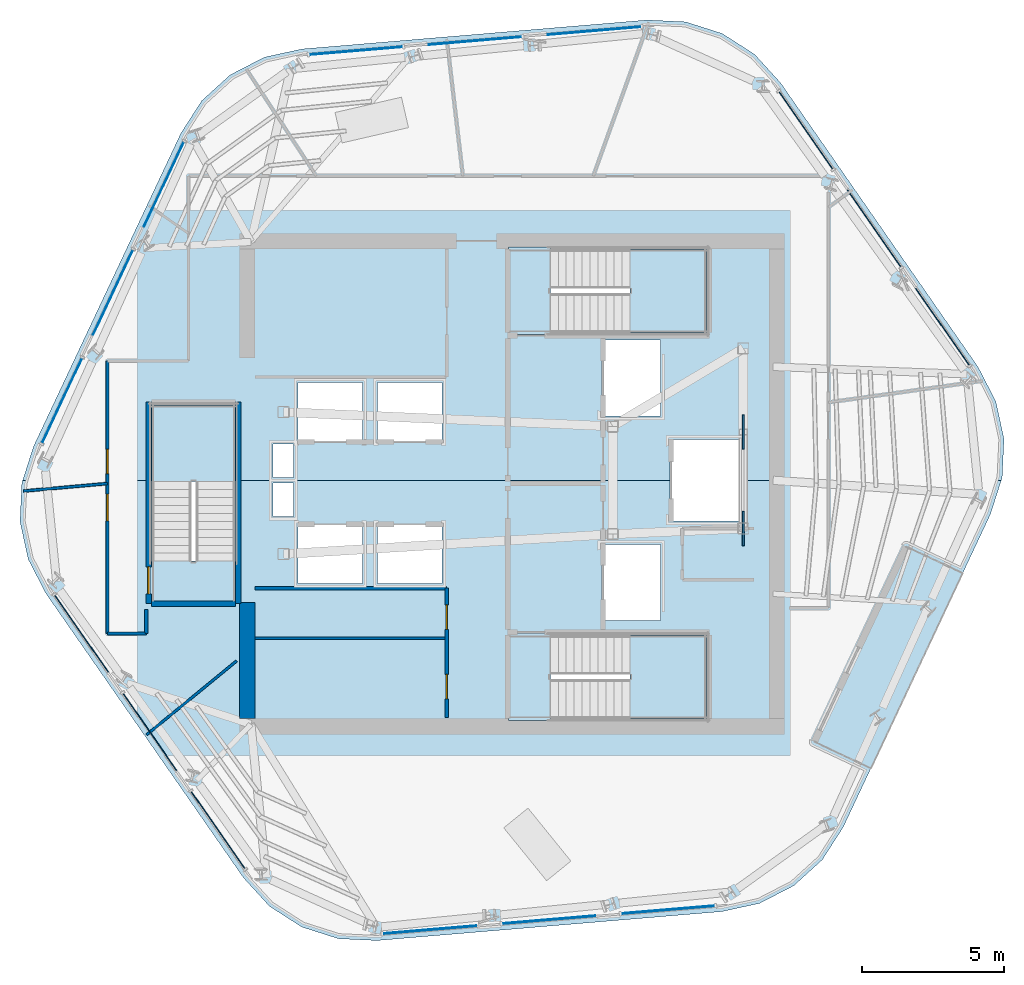
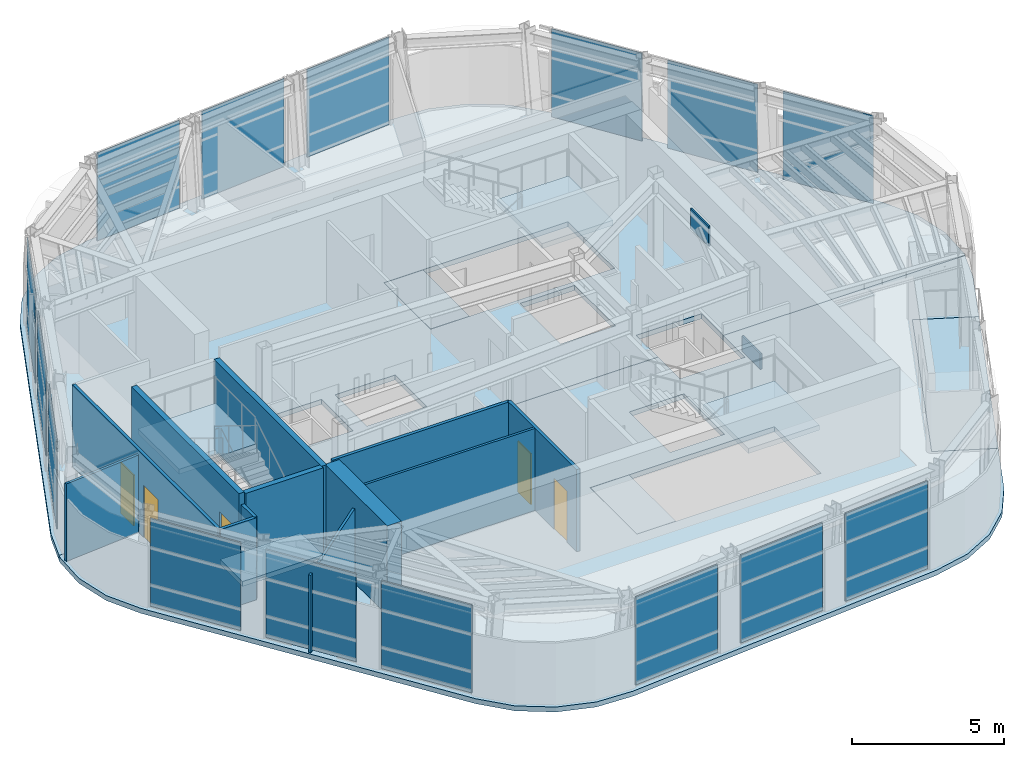
# One storey, part 5 of 14: 17 plates, 12 walls, 9 slabs, 5 doors, 5 openings, 8 elements without a shape of their own.
"""IFC4 building model written with IfcOpenShell, lengths in metres."""

from ifc_helpers import new_model, si_unit, direction, frame, frame_2d, origin, origin_2d, place, context, subcontext, project, spatial, polyline, rectangle, outline, extrude, material, layer, layer_set, type_object, element, fill, aggregate, save


model = new_model("IFC4")

# Units and contexts
model_context = context("Model", 3, precision=1e-05, world=origin(), true_north=direction((0.0, 1.0)))
body_context = subcontext(model_context, "Body", "Model", "MODEL_VIEW")
ifc_project = project(units=[si_unit("LENGTHUNIT", "METRE"), si_unit("AREAUNIT", "SQUARE_METRE"), si_unit("VOLUMEUNIT", "CUBIC_METRE"), si_unit("PLANEANGLEUNIT", "RADIAN"), si_unit("MASSUNIT", "GRAM", prefix="KILO")], contexts=[model_context])

# Site, building, storey
site_placement = place(None, origin())
site = spatial("IfcSite", under=ifc_project, at=site_placement, CompositionType="ELEMENT")
building_placement = place(site_placement, origin())
building = spatial("IfcBuilding", under=site, at=building_placement, Name="Valkerne Bourse Tower", CompositionType="ELEMENT")
storey_placement = place(building_placement, frame((0.0, 0.0, 304.0)))
storey = spatial("IfcBuildingStorey", under=building, at=storey_placement, Name="L77", CompositionType="ELEMENT", Elevation=304.0)

# Curtain wall, plates
ifc_material_1 = material(Name="Aluminium AA 6063-T6", Category="aluminium")
ifc_layer_1 = layer(ifc_material_1, 0.2451171875)
ifc_layer_set_1 = layer_set([ifc_layer_1], Name="Aluminium AA 6063-T6")
curtain_wall_type = type_object("IfcCurtainWallType", Name="CW-05", PredefinedType="NOTDEFINED", material=ifc_layer_set_1)
curtain_wall_1_placement = place(storey_placement, origin())
curtain_wall_1 = element("IfcCurtainWall", 1, at=curtain_wall_1_placement, inside=storey, type_object=curtain_wall_type, Name="L77 Hexagonal Stick Curtain Wall Face 1", PredefinedType="NOTDEFINED")
ifc_material_2 = material(Name="Glass IGU Low-E Double Glazed", Category="glass")
ifc_layer_2 = layer(ifc_material_2, 0.031982421875)
ifc_layer_set_2 = layer_set([ifc_layer_2], Name="Glass IGU Low-E Double Glazed")
plate_type_1 = type_object("IfcPlateType", Name="CW-PNL-IGU-32", PredefinedType="CURTAIN_PANEL", material=ifc_layer_set_2)
plate_1_placement = place(storey_placement, frame((49.697021484375, 42.836669921875, 0.030029296875), z_axis=(0.0, 0.0, 1.0), x_axis=(-0.996493823918, -0.083666354605, 0.0)))
plate_1 = element("IfcPlate", 2, at=plate_1_placement, type_object=plate_type_1, Name="CW-L77-F1 Curtain Panel 00", PredefinedType="CURTAIN_PANEL", context=body_context, shape_type="SweptSolid", body=[
    extrude(rectangle(XDim=3.2919921875, YDim=0.031982421875, at=origin_2d()), origin(), (0.0, 0.0, 1.0), 3.5400390625),
])
plate_2_placement = place(storey_placement, frame((45.499755859375, 42.484375, 0.030029296875), z_axis=(0.0, 0.0, 1.0), x_axis=(-0.996491844212, -0.083689930214, 0.0)))
plate_2 = element("IfcPlate", 3, at=plate_2_placement, type_object=plate_type_1, Name="CW-L77-F1 Curtain Panel 01", PredefinedType="CURTAIN_PANEL", context=body_context, shape_type="SweptSolid", body=[
    extrude(rectangle(XDim=3.2919921875, YDim=0.031982421875, at=origin_2d()), origin(), (0.0, 0.0, 1.0), 3.5400390625),
])
plate_3_placement = place(storey_placement, frame((41.302490234375, 42.1318359375, 0.030029296875), z_axis=(0.0, 0.0, 1.0), x_axis=(-0.996493823918, -0.083666354605, 0.0)))
plate_3 = element("IfcPlate", 4, at=plate_3_placement, type_object=plate_type_1, Name="CW-L77-F1 Curtain Panel 02", PredefinedType="CURTAIN_PANEL", context=body_context, shape_type="SweptSolid", body=[
    extrude(rectangle(XDim=3.2919921875, YDim=0.031982421875, at=origin_2d()), origin(), (0.0, 0.0, 1.0), 3.5400390625),
])
aggregate(curtain_wall_1, [plate_1, plate_2, plate_3])

curtain_wall_2_placement = place(storey_placement, origin())
curtain_wall_2 = element("IfcCurtainWall", 5, at=curtain_wall_2_placement, inside=storey, type_object=curtain_wall_type, Name="L77 Hexagonal Stick Curtain Wall Face 2", PredefinedType="NOTDEFINED")
plate_4_placement = place(storey_placement, frame((34.533447265625, 37.42724609375, 0.030029296875), z_axis=(0.0, 0.0, 1.0), x_axis=(-0.425766164687, -0.90483322939, 0.0)))
plate_4 = element("IfcPlate", 6, at=plate_4_placement, type_object=plate_type_1, Name="CW-L77-F2 Curtain Panel 00", PredefinedType="CURTAIN_PANEL", context=body_context, shape_type="SweptSolid", body=[
    extrude(rectangle(XDim=3.2919921875, YDim=0.031982421875, at=origin_2d()), origin(), (0.0, 0.0, 1.0), 3.5400390625),
])
plate_5_placement = place(storey_placement, frame((32.739990234375, 33.6162109375, 0.030029296875), z_axis=(0.0, 0.0, 1.0), x_axis=(-0.425776455945, -0.904828386802, 0.0)))
plate_5 = element("IfcPlate", 7, at=plate_5_placement, type_object=plate_type_1, Name="CW-L77-F2 Curtain Panel 01", PredefinedType="CURTAIN_PANEL", context=body_context, shape_type="SweptSolid", body=[
    extrude(rectangle(XDim=3.2919921875, YDim=0.031982421875, at=origin_2d()), origin(), (0.0, 0.0, 1.0), 3.5400390625),
])
plate_6_placement = place(storey_placement, frame((30.94677734375, 29.804931640625, 0.030029296875), z_axis=(0.0, 0.0, 1.0), x_axis=(-0.425785602565, -0.904824082708, 0.0)))
plate_6 = element("IfcPlate", 8, at=plate_6_placement, type_object=plate_type_1, Name="CW-L77-F2 Curtain Panel 02", PredefinedType="CURTAIN_PANEL", context=body_context, shape_type="SweptSolid", body=[
    extrude(rectangle(XDim=3.2919921875, YDim=0.031982421875, at=origin_2d()), origin(), (0.0, 0.0, 1.0), 3.5400390625),
])
aggregate(curtain_wall_2, [plate_4, plate_5, plate_6])

curtain_wall_3_placement = place(storey_placement, origin())
curtain_wall_3 = element("IfcCurtainWall", 9, at=curtain_wall_3_placement, inside=storey, type_object=curtain_wall_type, Name="L77 Hexagonal Stick Curtain Wall Face 3", PredefinedType="NOTDEFINED")
plate_7_placement = place(storey_placement, frame((31.636474609375, 21.590576171875, 0.030029296875), z_axis=(0.0, 0.0, 1.0), x_axis=(0.57070410304, -0.821155787152, 0.0)))
plate_7 = element("IfcPlate", 10, at=plate_7_placement, type_object=plate_type_1, Name="CW-L77-F3 Curtain Panel 00", PredefinedType="CURTAIN_PANEL", context=body_context, shape_type="SweptSolid", body=[
    extrude(rectangle(XDim=3.2919921875, YDim=0.031982421875, at=origin_2d()), origin(), (0.0, 0.0, 1.0), 3.5400390625),
])
plate_8_placement = place(storey_placement, frame((34.040283203125, 18.1318359375, 0.030029296875), z_axis=(0.0, 0.0, 1.0), x_axis=(0.57072011169, -0.821144660893, 0.0)))
plate_8 = element("IfcPlate", 11, at=plate_8_placement, type_object=plate_type_1, Name="CW-L77-F3 Curtain Panel 01", PredefinedType="CURTAIN_PANEL", context=body_context, shape_type="SweptSolid", body=[
    extrude(rectangle(XDim=3.2919921875, YDim=0.031982421875, at=origin_2d()), origin(), (0.0, 0.0, 1.0), 3.5400390625),
])
plate_9_placement = place(storey_placement, frame((36.444091796875, 14.673095703125, 0.030029296875), z_axis=(0.0, 0.0, 1.0), x_axis=(0.57070410304, -0.821155787152, 0.0)))
plate_9 = element("IfcPlate", 12, at=plate_9_placement, type_object=plate_type_1, Name="CW-L77-F3 Curtain Panel 02", PredefinedType="CURTAIN_PANEL", context=body_context, shape_type="SweptSolid", body=[
    extrude(rectangle(XDim=3.2919921875, YDim=0.031982421875, at=origin_2d()), origin(), (0.0, 0.0, 1.0), 3.5400390625),
])
aggregate(curtain_wall_3, [plate_7, plate_8, plate_9])

curtain_wall_4_placement = place(storey_placement, origin())
curtain_wall_4 = element("IfcCurtainWall", 13, at=curtain_wall_4_placement, inside=storey, type_object=curtain_wall_type, Name="L77 Hexagonal Stick Curtain Wall Face 4", PredefinedType="NOTDEFINED")
plate_10_placement = place(storey_placement, frame((43.903076171875, 11.163330078125, 0.030029296875), z_axis=(0.0, 0.0, 1.0), x_axis=(0.996493823918, 0.083666354605, 0.0)))
plate_10 = element("IfcPlate", 14, at=plate_10_placement, type_object=plate_type_1, Name="CW-L77-F4 Curtain Panel 00", PredefinedType="CURTAIN_PANEL", context=body_context, shape_type="SweptSolid", body=[
    extrude(rectangle(XDim=3.2919921875, YDim=0.031982421875, at=origin_2d()), origin(), (0.0, 0.0, 1.0), 3.5400390625),
])
plate_11_placement = place(storey_placement, frame((48.100341796875, 11.515625, 0.030029296875), z_axis=(0.0, 0.0, 1.0), x_axis=(0.996491844212, 0.083689930214, 0.0)))
plate_11 = element("IfcPlate", 15, at=plate_11_placement, type_object=plate_type_1, Name="CW-L77-F4 Curtain Panel 01", PredefinedType="CURTAIN_PANEL", context=body_context, shape_type="SweptSolid", body=[
    extrude(rectangle(XDim=3.2919921875, YDim=0.031982421875, at=origin_2d()), origin(), (0.0, 0.0, 1.0), 3.5400390625),
])
plate_12_placement = place(storey_placement, frame((52.29736328125, 11.8681640625, 0.030029296875), z_axis=(0.0, 0.0, 1.0), x_axis=(0.996493823918, 0.083666354605, 0.0)))
plate_12 = element("IfcPlate", 16, at=plate_12_placement, type_object=plate_type_1, Name="CW-L77-F4 Curtain Panel 02", PredefinedType="CURTAIN_PANEL", context=body_context, shape_type="SweptSolid", body=[
    extrude(rectangle(XDim=3.2919921875, YDim=0.031982421875, at=origin_2d()), origin(), (0.0, 0.0, 1.0), 3.5400390625),
])
aggregate(curtain_wall_4, [plate_10, plate_11, plate_12])

curtain_wall_5_placement = place(storey_placement, origin())
curtain_wall_5 = element("IfcCurtainWall", 17, at=curtain_wall_5_placement, inside=storey, type_object=curtain_wall_type, Name="L77 Hexagonal Stick Curtain Wall Face 6", PredefinedType="NOTDEFINED")
plate_13_placement = place(storey_placement, frame((61.96337890625, 32.409423828125, 0.030029296875), z_axis=(0.0, 0.0, 1.0), x_axis=(-0.57070410304, 0.821155787152, 0.0)))
plate_13 = element("IfcPlate", 18, at=plate_13_placement, type_object=plate_type_1, Name="CW-L77-F6 Curtain Panel 00", PredefinedType="CURTAIN_PANEL", context=body_context, shape_type="SweptSolid", body=[
    extrude(rectangle(XDim=3.2919921875, YDim=0.031982421875, at=origin_2d()), origin(), (0.0, 0.0, 1.0), 3.5400390625),
])
plate_14_placement = place(storey_placement, frame((59.559814453125, 35.8681640625, 0.030029296875), z_axis=(0.0, 0.0, 1.0), x_axis=(-0.57072011169, 0.821144660893, 0.0)))
plate_14 = element("IfcPlate", 19, at=plate_14_placement, type_object=plate_type_1, Name="CW-L77-F6 Curtain Panel 01", PredefinedType="CURTAIN_PANEL", context=body_context, shape_type="SweptSolid", body=[
    extrude(rectangle(XDim=3.2919921875, YDim=0.031982421875, at=origin_2d()), origin(), (0.0, 0.0, 1.0), 3.5400390625),
])
plate_15_placement = place(storey_placement, frame((57.15576171875, 39.326904296875, 0.030029296875), z_axis=(0.0, 0.0, 1.0), x_axis=(-0.57070410304, 0.821155787152, 0.0)))
plate_15 = element("IfcPlate", 20, at=plate_15_placement, type_object=plate_type_1, Name="CW-L77-F6 Curtain Panel 02", PredefinedType="CURTAIN_PANEL", context=body_context, shape_type="SweptSolid", body=[
    extrude(rectangle(XDim=3.2919921875, YDim=0.031982421875, at=origin_2d()), origin(), (0.0, 0.0, 1.0), 3.5400390625),
])
aggregate(curtain_wall_5, [plate_13, plate_14, plate_15])

# Plates
ifc_material_3 = material(Name="Steel ASTM A572 Grade 50", Category="steel")
ifc_layer_3 = layer(ifc_material_3, 0.06005859375)
ifc_layer_set_3 = layer_set([ifc_layer_3], Name="Steel ASTM A572 Grade 50")
plate_type_2 = type_object("IfcPlateType", Name="PLT-GUS-60", PredefinedType="SHEET", material=ifc_layer_set_3)
for number, where, z_axis, x_axis, name in (
    (21, (54.949951171875, 25.300048828125, -0.18017578125), (0.0, 0.0, 1.0), (0.0, 1.0, 0.0), "L77 Brace Node Gusset Plate PLT-GUS-END-L77-470"),
    (22, (54.949951171875, 28.699951171875, 2.89404296875), (0.0, 0.0, 1.0), (0.0, 1.0, 0.0), "L77 Brace Node Gusset Plate PLT-GUS-END-L77-471"),
):
    element("IfcPlate", number, at=place(storey_placement, frame(where, z_axis=z_axis, x_axis=x_axis)), inside=storey, type_object=plate_type_2, Name=name, PredefinedType="SHEET", context=body_context, shape_type="SweptSolid", body=[
        extrude(rectangle(XDim=1.199951171875, YDim=0.06005859375, at=origin_2d()), origin(), (0.0, 0.0, 1.0), 0.800048828125),
    ])

# Slabs
ifc_material_4 = material(Name="Concrete C40/50", Category="concrete")
ifc_layer_4 = layer(ifc_material_4, 0.25)
ifc_layer_set_4 = layer_set([ifc_layer_4], Name="Concrete C40/50")
slab_type_1 = type_object("IfcSlabType", Name="SLB-RMP-LND-250", PredefinedType="LANDING", material=ifc_layer_set_4)
slab_1_placement = place(storey_placement, frame((0.0, 0.0, -0.199951171875)))
element("IfcSlab", 23, at=slab_1_placement, inside=storey, type_object=slab_type_1, Name="L77 ST-1 Floor Landing Slab", PredefinedType="LANDING", context=body_context, shape_type="SweptSolid", body=[
    extrude(outline(polyline([(46.669921875, 18.5400390625), (48.14990234375, 18.5400390625), (48.14990234375, 21.610107421875), (46.669921875, 21.610107421875), (46.669921875, 18.5400390625)])), origin(), (0.0, 0.0, 1.0), 0.199951171875),
])
slab_2_placement = place(storey_placement, frame((0.0, 0.0, -0.199951171875)))
element("IfcSlab", 24, at=slab_2_placement, inside=storey, type_object=slab_type_1, Name="L77 ST-2 Floor Landing Slab", PredefinedType="LANDING", context=body_context, shape_type="SweptSolid", body=[
    extrude(outline(polyline([(46.669921875, 32.139892578125), (48.14990234375, 32.139892578125), (48.14990234375, 35.2099609375), (46.669921875, 35.2099609375), (46.669921875, 32.139892578125)])), origin(), (0.0, 0.0, 1.0), 0.199951171875),
])
slab_3_placement = place(storey_placement, frame((0.0, 0.0, -0.199951171875)))
element("IfcSlab", 25, at=slab_3_placement, inside=storey, type_object=slab_type_1, Name="L77 ST-3 Floor Landing Slab", PredefinedType="LANDING", context=body_context, shape_type="SweptSolid", body=[
    extrude(outline(polyline([(37.110107421875, 22.669921875), (37.110107421875, 24.14990234375), (34.0400390625, 24.14990234375), (34.0400390625, 22.669921875), (37.110107421875, 22.669921875)])), origin(), (0.0, 0.0, 1.0), 0.199951171875),
])

# Stair, slab
stair_type = type_object("IfcStairType", Name="ST-CORE-1400", PredefinedType="HALF_TURN_STAIR", material=ifc_material_4)
stair_1_placement = place(storey_placement, origin())
stair_1 = element("IfcStair", 26, at=stair_1_placement, inside=storey, type_object=stair_type, Name="L77 ST-1", PredefinedType="HALF_TURN_STAIR")
ifc_layer_5 = layer(ifc_material_4, 0.179931640625)
ifc_layer_set_5 = layer_set([ifc_layer_5], Name="Concrete C40/50")
slab_type_2 = type_object("IfcSlabType", Name="SLB-ST-LND-180", PredefinedType="LANDING", material=ifc_layer_set_5)
slab_4_placement = place(storey_placement, frame((0.0, 0.0, 1.699951171875)))
slab_4 = element("IfcSlab", 27, at=slab_4_placement, type_object=slab_type_2, Name="ST-1 landing 1", PredefinedType="LANDING", context=body_context, shape_type="SweptSolid", body=[
    extrude(outline(polyline([(50.949951171875, 18.60009765625), (53.64990234375, 18.60009765625), (53.64990234375, 21.550048828125), (50.949951171875, 21.550048828125), (50.949951171875, 18.60009765625)])), origin(), (0.0, 0.0, 1.0), 0.199951171875),
])
aggregate(stair_1, [slab_4])

stair_2_placement = place(storey_placement, origin())
stair_2 = element("IfcStair", 28, at=stair_2_placement, inside=storey, type_object=stair_type, Name="L77 ST-2", PredefinedType="HALF_TURN_STAIR")
slab_5_placement = place(storey_placement, frame((0.0, 0.0, 1.699951171875)))
slab_5 = element("IfcSlab", 29, at=slab_5_placement, type_object=slab_type_2, Name="ST-2 landing 1", PredefinedType="LANDING", context=body_context, shape_type="SweptSolid", body=[
    extrude(outline(polyline([(50.949951171875, 32.199951171875), (53.64990234375, 32.199951171875), (53.64990234375, 35.14990234375), (50.949951171875, 35.14990234375), (50.949951171875, 32.199951171875)])), origin(), (0.0, 0.0, 1.0), 0.199951171875),
])
aggregate(stair_2, [slab_5])

stair_3_placement = place(storey_placement, origin())
stair_3 = element("IfcStair", 30, at=stair_3_placement, inside=storey, type_object=stair_type, Name="L77 ST-3", PredefinedType="HALF_TURN_STAIR")
slab_6_placement = place(storey_placement, frame((0.0, 0.0, 1.699951171875)))
slab_6 = element("IfcSlab", 31, at=slab_6_placement, type_object=slab_type_2, Name="ST-3 landing 1", PredefinedType="LANDING", context=body_context, shape_type="SweptSolid", body=[
    extrude(outline(polyline([(37.050048828125, 26.949951171875), (37.050048828125, 29.64990234375), (34.10009765625, 29.64990234375), (34.10009765625, 26.949951171875), (37.050048828125, 26.949951171875)])), origin(), (0.0, 0.0, 1.0), 0.199951171875),
])
aggregate(stair_3, [slab_6])

# Slabs
ifc_layer_6 = layer(ifc_material_4, 0.199951171875)
ifc_layer_set_6 = layer_set([ifc_layer_6], Name="Concrete C40/50")
slab_type_3 = type_object("IfcSlabType", Name="SLB-TER-200", PredefinedType="FLOOR", material=ifc_layer_set_6)
slab_7_placement = place(storey_placement, frame((0.0, 0.0, -0.199951171875)))
element("IfcSlab", 32, at=slab_7_placement, inside=storey, type_object=slab_type_3, Name="L77 V-Notch Stepped Outdoor Terrace Slab", PredefinedType="FLOOR", context=body_context, shape_type="SweptSolid", body=[
    extrude(outline(polyline([(59.443603515625, 16.8505859375), (57.452880859375, 17.787353515625), (60.68896484375, 24.6640625), (62.6796875, 23.727294921875), (59.443603515625, 16.8505859375)])), origin(), (0.0, 0.0, 1.0), 0.199951171875),
])
ifc_layer_7 = layer(ifc_material_4, 0.199951171875)
ifc_layer_set_7 = layer_set([ifc_layer_7], Name="Concrete C40/50")
slab_type_4 = type_object("IfcSlabType", Name="SLB-TOW-200", PredefinedType="FLOOR", material=ifc_layer_set_7)
slab_8_placement = place(storey_placement, frame((0.0, 0.0, -0.199951171875)))
element("IfcSlab", 33, at=slab_8_placement, inside=storey, type_object=slab_type_4, Name="L77 Hexagonal Composite Floor Slab S", PredefinedType="FLOOR", context=body_context, shape_type="SweptSolid", body=[
    extrude(outline(polyline([(56.727783203125, 12.7158203125), (55.521484375, 12.093017578125), (54.1953125, 11.803955078125), (42.04248046875, 10.783447265625), (40.6865234375, 10.847412109375), (39.393310546875, 11.260009765625), (38.2509765625, 11.993408203125), (37.33740234375, 12.997314453125), (30.377197265625, 23.01171875), (29.754638671875, 24.218017578125), (29.465576171875, 25.54443359375), (29.529296875, 26.900390625), (29.561279296875, 27.0), (34.034912109375, 27.0), (34.034912109375, 22.6650390625), (37.114990234375, 22.6650390625), (37.114990234375, 27.0), (52.360107421875, 27.0), (52.360107421875, 25.56005859375), (54.840087890625, 25.56005859375), (54.840087890625, 27.0), (64.038818359375, 27.0), (63.657958984375, 25.806396484375), (62.6796875, 23.727294921875), (60.68896484375, 24.6640625), (57.452880859375, 17.787353515625), (59.443603515625, 16.8505859375), (58.46533203125, 14.771484375), (57.73193359375, 13.629150390625), (56.727783203125, 12.7158203125)]), holes=[polyline([(39.260009765625, 25.43994140625), (39.260009765625, 23.360107421875), (41.5400390625, 23.360107421875), (41.5400390625, 25.43994140625), (39.260009765625, 25.43994140625)]), polyline([(44.340087890625, 25.43994140625), (42.06005859375, 25.43994140625), (42.06005859375, 23.360107421875), (44.340087890625, 23.360107421875), (44.340087890625, 25.43994140625)]), polyline([(38.3798828125, 26.89990234375), (38.3798828125, 25.72998046875), (39.10009765625, 25.72998046875), (39.10009765625, 26.89990234375), (38.3798828125, 26.89990234375)]), polyline([(46.6650390625, 21.614990234375), (46.6650390625, 18.534912109375), (53.675048828125, 18.534912109375), (53.675048828125, 21.614990234375), (46.6650390625, 21.614990234375)]), polyline([(52.0400390625, 24.739990234375), (49.9599609375, 24.739990234375), (49.9599609375, 22.06005859375), (52.0400390625, 22.06005859375), (52.0400390625, 24.739990234375)])]), origin(), (0.0, 0.0, 1.0), 0.199951171875),
])
slab_9_placement = place(storey_placement, frame((0.0, 0.0, -0.199951171875)))
element("IfcSlab", 34, at=slab_9_placement, inside=storey, type_object=slab_type_4, Name="L77 Hexagonal Composite Floor Slab N", PredefinedType="FLOOR", context=body_context, shape_type="SweptSolid", body=[
    extrude(outline(polyline([(29.942138671875, 28.193603515625), (35.134765625, 39.228515625), (35.8681640625, 40.370849609375), (36.8720703125, 41.2841796875), (38.078369140625, 41.906982421875), (39.40478515625, 42.196044921875), (51.5576171875, 43.216552734375), (52.91357421875, 43.152587890625), (54.206787109375, 42.739990234375), (55.34912109375, 42.006591796875), (56.2626953125, 41.002685546875), (63.222900390625, 30.98828125), (63.845458984375, 29.781982421875), (64.134521484375, 28.45556640625), (64.070556640625, 27.099609375), (64.038818359375, 27.0), (54.840087890625, 27.0), (54.840087890625, 28.43994140625), (52.360107421875, 28.43994140625), (52.360107421875, 27.0), (37.114990234375, 27.0), (37.114990234375, 29.675048828125), (34.034912109375, 29.675048828125), (34.034912109375, 27.0), (29.561279296875, 27.0), (29.942138671875, 28.193603515625)]), holes=[polyline([(39.10009765625, 28.27001953125), (38.3798828125, 28.27001953125), (38.3798828125, 27.10009765625), (39.10009765625, 27.10009765625), (39.10009765625, 28.27001953125)]), polyline([(41.5400390625, 30.43994140625), (39.260009765625, 30.43994140625), (39.260009765625, 28.360107421875), (41.5400390625, 28.360107421875), (41.5400390625, 30.43994140625)]), polyline([(42.06005859375, 30.43994140625), (42.06005859375, 28.360107421875), (44.340087890625, 28.360107421875), (44.340087890625, 30.43994140625), (42.06005859375, 30.43994140625)]), polyline([(52.0400390625, 31.93994140625), (49.9599609375, 31.93994140625), (49.9599609375, 29.260009765625), (52.0400390625, 29.260009765625), (52.0400390625, 31.93994140625)]), polyline([(53.675048828125, 35.215087890625), (46.6650390625, 35.215087890625), (46.6650390625, 32.135009765625), (53.675048828125, 32.135009765625), (53.675048828125, 35.215087890625)])]), origin(), (0.0, 0.0, 1.0), 0.199951171875),
])

# Wall
ifc_material_5 = material(Name="Concrete C55/67", Category="concrete")
ifc_layer_8 = layer(ifc_material_5, 0.550048828125)
ifc_layer_set_8 = layer_set([ifc_layer_8], Name="Concrete C55/67")
wall_type_1 = type_object("IfcWallType", Name="W-CORE-550", PredefinedType="SHEAR", material=ifc_layer_set_8)
wall_1_placement = place(storey_placement, frame((37.47509765625, 18.60009765625, 0.0), z_axis=(0.0, 0.0, 1.0), x_axis=(0.0, 1.0, 0.0)))
element("IfcWall", 35, at=wall_1_placement, inside=storey, type_object=wall_type_1, Name="L77 Core Shear Wall WEST-S", PredefinedType="SHEAR", context=body_context, shape_type="SweptSolid", body=[
    extrude(rectangle(XDim=4.099853515625, YDim=0.550048828125, at=frame_2d((2.0498046875, 0.0))), origin(), (0.0, 0.0, 1.0), 3.60009765625),
])

# Wall, openings, doors
ifc_material_6 = material(Name="Gypsum Board Steel-Stud Partition", Category="steel")
ifc_layer_9 = layer(ifc_material_6, 0.117919921875)
ifc_layer_set_9 = layer_set([ifc_layer_9], Name="Gypsum Board Steel-Stud Partition")
wall_type_2 = type_object("IfcWallType", Name="W-CORR-140", PredefinedType="PARTITIONING", material=ifc_layer_set_9)
wall_2_placement = place(storey_placement, frame((44.5, 18.64990234375, 0.0), z_axis=(0.0, 0.0, 1.0), x_axis=(0.0, 1.0, 0.0)))
wall_2 = element("IfcWall", 36, at=wall_2_placement, inside=storey, type_object=wall_type_2, Name="L77 LV7 Low-Bank East Wall", PredefinedType="PARTITIONING", context=body_context, shape_type="SweptSolid", body=[
    extrude(rectangle(XDim=4.550048828125, YDim=0.117919921875, at=frame_2d((2.27490234375, 0.0))), origin(), (0.0, 0.0, 1.0), 3.300048828125),
])
opening_1_placement = place(wall_2_placement, frame((0.64990234375, 0.0, 0.0)))
opening_1 = element("IfcOpeningElement", 37, at=opening_1_placement, cuts=wall_2, Name="Opening D-WC-900", PredefinedType="OPENING", context=body_context, shape_type="SweptSolid", body=[
    extrude(rectangle(XDim=0.860107421875, YDim=2.050048828125, at=frame_2d((0.43017578125, 1.02490234375))), frame((0.0, 0.06884765625, 0.0), z_axis=(0.0, -1.0, 0.0), x_axis=(1.0, 0.0, 0.0)), (0.0, 0.0, 1.0), 0.137939453125),
])
opening_2_placement = place(wall_2_placement, frame((3.10009765625, 0.0, 0.0)))
opening_2 = element("IfcOpeningElement", 38, at=opening_2_placement, cuts=wall_2, Name="Opening D-WC-900", PredefinedType="OPENING", context=body_context, shape_type="SweptSolid", body=[
    extrude(rectangle(XDim=0.860107421875, YDim=2.050048828125, at=frame_2d((0.43017578125, 1.02490234375))), frame((0.0, 0.06884765625, 0.0), z_axis=(0.0, -1.0, 0.0), x_axis=(1.0, 0.0, 0.0)), (0.0, 0.0, 1.0), 0.137939453125),
])
ifc_material_7 = material(Name="Architectural White Oak Timber", Category="wood")
door_type_1 = type_object("IfcDoorType", Name="DR-WC-900", OperationType="NOTDEFINED", PredefinedType="DOOR", material=ifc_material_7)
door_1_placement = place(opening_1_placement, origin())
door_1 = element("IfcDoor", 39, at=door_1_placement, inside=storey, type_object=door_type_1, Name="L77 Reprographics Office Door", OperationType="SINGLE_SWING_RIGHT", OverallHeight=2.050048828125, OverallWidth=0.860107421875, PredefinedType="DOOR", context=body_context, shape_type="SweptSolid", body=[
    extrude(rectangle(XDim=0.860107421875, YDim=2.050048828125, at=frame_2d((0.43017578125, 1.02490234375))), frame((0.0, 0.02490234375, 0.0), z_axis=(0.0, -1.0, 0.0), x_axis=(1.0, 0.0, 0.0)), (0.0, 0.0, 1.0), 0.050048828125),
])
fill(opening_1, door_1)
door_2_placement = place(opening_2_placement, origin())
door_2 = element("IfcDoor", 40, at=door_2_placement, inside=storey, type_object=door_type_1, Name="L77 First Aid Clinic Door", OperationType="SINGLE_SWING_RIGHT", OverallHeight=2.050048828125, OverallWidth=0.860107421875, PredefinedType="DOOR", context=body_context, shape_type="SweptSolid", body=[
    extrude(rectangle(XDim=0.860107421875, YDim=2.050048828125, at=frame_2d((0.43017578125, 1.02490234375))), frame((0.0, 0.02490234375, 0.0), z_axis=(0.0, -1.0, 0.0), x_axis=(1.0, 0.0, 0.0)), (0.0, 0.0, 1.0), 0.050048828125),
])
fill(opening_2, door_2)

# Walls
wall_3_placement = place(storey_placement, frame((37.75, 23.199951171875, 0.0), z_axis=(0.0, 0.0, 1.0), x_axis=(1.0, 0.0, 0.0)))
element("IfcWall", 41, at=wall_3_placement, inside=storey, type_object=wall_type_2, Name="L77 LV7 Low-Bank North Wall", PredefinedType="PARTITIONING", context=body_context, shape_type="SweptSolid", body=[
    extrude(rectangle(XDim=6.75, YDim=0.117919921875, at=frame_2d((3.375, 0.0))), origin(), (0.0, 0.0, 1.0), 3.300048828125),
])
wall_4_placement = place(storey_placement, frame((33.91796875, 22.43994140625, 0.0), z_axis=(0.0, 0.0, 1.0), x_axis=(0.002325575107, -0.999997295847, 0.0)))
element("IfcWall", 42, at=wall_4_placement, inside=storey, type_object=wall_type_2, Name="L77 Corridor Enclosure Wall", PredefinedType="PARTITIONING", context=body_context, shape_type="SweptSolid", body=[
    extrude(rectangle(XDim=0.83984375, YDim=0.117919921875, at=frame_2d((0.419921875, 0.0))), origin(), (0.0, 0.0, 1.0), 3.300048828125),
])
wall_5_placement = place(storey_placement, frame((33.919921875, 21.60009765625, 0.0), z_axis=(0.0, 0.0, 1.0), x_axis=(-1.0, 0.0, 0.0)))
element("IfcWall", 43, at=wall_5_placement, inside=storey, type_object=wall_type_2, Name="L77 Corridor Enclosure Wall", PredefinedType="PARTITIONING", context=body_context, shape_type="SweptSolid", body=[
    extrude(rectangle(XDim=1.369873046875, YDim=0.117919921875, at=frame_2d((0.68505859375, 0.0))), origin(), (0.0, 0.0, 1.0), 3.300048828125),
])

# Wall, openings, doors
wall_6_placement = place(storey_placement, frame((32.550048828125, 21.60009765625, 0.0), z_axis=(0.0, 0.0, 1.0), x_axis=(0.0, 1.0, 0.0)))
wall_6 = element("IfcWall", 44, at=wall_6_placement, inside=storey, type_object=wall_type_2, Name="L77 Corridor Enclosure Wall", PredefinedType="PARTITIONING", context=body_context, shape_type="SweptSolid", body=[
    extrude(rectangle(XDim=9.599853515625, YDim=0.117919921875, at=frame_2d((4.7998046875, 0.0))), origin(), (0.0, 0.0, 1.0), 3.300048828125),
])
opening_3_placement = place(wall_6_placement, frame((5.6298828125, 0.0, 0.0)))
opening_3 = element("IfcOpeningElement", 45, at=opening_3_placement, cuts=wall_6, Name="Opening D-WC-900", PredefinedType="OPENING", context=body_context, shape_type="SweptSolid", body=[
    extrude(rectangle(XDim=0.860107421875, YDim=2.050048828125, at=frame_2d((0.43017578125, 1.02490234375))), frame((0.0, 0.06884765625, 0.0), z_axis=(0.0, -1.0, 0.0), x_axis=(1.0, 0.0, 0.0)), (0.0, 0.0, 1.0), 0.137939453125),
])
opening_4_placement = place(wall_6_placement, frame((3.965087890625, 0.0, 0.0)))
opening_4 = element("IfcOpeningElement", 46, at=opening_4_placement, cuts=wall_6, Name="Opening D-OF-950", PredefinedType="OPENING", context=body_context, shape_type="SweptSolid", body=[
    extrude(rectangle(XDim=0.949951171875, YDim=2.10009765625, at=frame_2d((0.47509765625, 1.050048828125))), frame((0.0, 0.06884765625, 0.0), z_axis=(0.0, -1.0, 0.0), x_axis=(1.0, 0.0, 0.0)), (0.0, 0.0, 1.0), 0.137939453125),
])
door_type_2 = type_object("IfcDoorType", Name="DR-OFF-950", OperationType="NOTDEFINED", PredefinedType="DOOR", material=ifc_material_7)
door_3_placement = place(opening_4_placement, origin())
door_3 = element("IfcDoor", 47, at=door_3_placement, inside=storey, type_object=door_type_2, Name="L77 L77 Executive Economics Study Room 3 Door", OperationType="SINGLE_SWING_RIGHT", OverallHeight=2.10009765625, OverallWidth=0.949951171875, PredefinedType="DOOR", context=body_context, shape_type="SweptSolid", body=[
    extrude(rectangle(XDim=0.949951171875, YDim=2.10009765625, at=frame_2d((0.47509765625, 1.050048828125))), frame((0.0, 0.02490234375, 0.0), z_axis=(0.0, -1.0, 0.0), x_axis=(1.0, 0.0, 0.0)), (0.0, 0.0, 1.0), 0.050048828125),
])
fill(opening_4, door_3)
door_4_placement = place(opening_3_placement, origin())
door_4 = element("IfcDoor", 48, at=door_4_placement, inside=storey, type_object=door_type_1, Name="L77 L77 Men Bathroom WC 1 Door", OperationType="SINGLE_SWING_RIGHT", OverallHeight=2.050048828125, OverallWidth=0.860107421875, PredefinedType="DOOR", context=body_context, shape_type="SweptSolid", body=[
    extrude(rectangle(XDim=0.860107421875, YDim=2.050048828125, at=frame_2d((0.43017578125, 1.02490234375))), frame((0.0, 0.02490234375, 0.0), z_axis=(0.0, -1.0, 0.0), x_axis=(1.0, 0.0, 0.0)), (0.0, 0.0, 1.0), 0.050048828125),
])
fill(opening_3, door_4)

# Walls
ifc_layer_10 = layer(ifc_material_6, 0.092041015625)
ifc_layer_set_10 = layer_set([ifc_layer_10], Name="Gypsum Board Steel-Stud Partition")
wall_type_3 = type_object("IfcWallType", Name="W-PART-115", PredefinedType="PARTITIONING", material=ifc_layer_set_10)
wall_7_placement = place(storey_placement, frame((37.75, 21.43994140625, 0.0), z_axis=(0.0, 0.0, 1.0), x_axis=(1.0, 0.0, 0.0)))
element("IfcWall", 49, at=wall_7_placement, inside=storey, type_object=wall_type_3, Name="L77 LV7 Low-Bank Sub-Divider", PredefinedType="PARTITIONING", context=body_context, shape_type="SweptSolid", body=[
    extrude(rectangle(XDim=6.75, YDim=0.092041015625, at=frame_2d((3.375, 0.0))), origin(), (0.0, 0.0, 1.0), 3.300048828125),
])
wall_8_placement = place(storey_placement, frame((32.544921875, 26.8837890625, 0.0), z_axis=(0.0, 0.0, 1.0), x_axis=(-0.99605990526, -0.088682947254, 0.0)))
element("IfcWall", 50, at=wall_8_placement, inside=storey, type_object=wall_type_3, Name="L77 Suite Partition P05", PredefinedType="PARTITIONING", context=body_context, shape_type="SweptSolid", body=[
    extrude(rectangle(XDim=2.970458984375, YDim=0.092041015625, at=frame_2d((1.4853515625, 0.0))), origin(), (0.0, 0.0, 1.0), 3.114990234375),
])
wall_9_placement = place(storey_placement, frame((37.10009765625, 20.636962890625, 0.0), z_axis=(0.0, 0.0, 1.0), x_axis=(-0.77321009395, -0.634149943321, 0.0)))
element("IfcWall", 51, at=wall_9_placement, inside=storey, type_object=wall_type_3, Name="L77 Suite Partition P06", PredefinedType="PARTITIONING", context=body_context, shape_type="SweptSolid", body=[
    extrude(rectangle(XDim=4.108154296875, YDim=0.092041015625, at=frame_2d((2.05419921875, 0.0))), origin(), (0.0, 0.0, 1.0), 3.114990234375),
])

# Wall, opening, door
ifc_layer_11 = layer(ifc_material_4, 0.199951171875)
ifc_layer_set_11 = layer_set([ifc_layer_11], Name="Concrete C40/50")
wall_type_4 = type_object("IfcWallType", Name="W-SHF-200", PredefinedType="SHEAR", material=ifc_layer_set_11)
wall_10_placement = place(storey_placement, frame((34.0, 22.64990234375, 0.0), z_axis=(0.0, 0.0, 1.0), x_axis=(0.0, 1.0, 0.0)))
wall_10 = element("IfcWall", 52, at=wall_10_placement, inside=storey, type_object=wall_type_4, Name="L77 Exit Stair ST-3 Structural Shaft Wall West", PredefinedType="SHEAR", context=body_context, shape_type="SweptSolid", body=[
    extrude(rectangle(XDim=7.10009765625, YDim=0.199951171875, at=frame_2d((3.550048828125, 0.0))), origin(), (0.0, 0.0, 1.0), 3.60009765625),
])
opening_5_placement = place(wall_10_placement, frame((0.35009765625, 0.0, 0.0)))
opening_5 = element("IfcOpeningElement", 53, at=opening_5_placement, cuts=wall_10, Name="Opening D-ST-950", PredefinedType="OPENING", context=body_context, shape_type="SweptSolid", body=[
    extrude(rectangle(XDim=0.949951171875, YDim=2.10009765625, at=frame_2d((0.47509765625, 1.050048828125))), frame((0.0, 0.10986328125, 0.0), z_axis=(0.0, -1.0, 0.0), x_axis=(1.0, 0.0, 0.0)), (0.0, 0.0, 1.0), 0.219970703125),
])
ifc_material_8 = material(Name="Galvanised Painted Steel", Category="steel")
door_type_3 = type_object("IfcDoorType", Name="DR-STAIR-950", OperationType="NOTDEFINED", PredefinedType="DOOR", material=ifc_material_8)
door_5_placement = place(opening_5_placement, origin())
door_5 = element("IfcDoor", 54, at=door_5_placement, inside=storey, type_object=door_type_3, Name="L77 Exit Stair ST-3 Door", OperationType="SINGLE_SWING_LEFT", OverallHeight=2.10009765625, OverallWidth=0.949951171875, PredefinedType="DOOR", context=body_context, shape_type="SweptSolid", body=[
    extrude(rectangle(XDim=0.949951171875, YDim=2.10009765625, at=frame_2d((0.47509765625, 1.050048828125))), frame((0.0, 0.02490234375, 0.0), z_axis=(0.0, -1.0, 0.0), x_axis=(1.0, 0.0, 0.0)), (0.0, 0.0, 1.0), 0.050048828125),
])
fill(opening_5, door_5)

# Walls
wall_11_placement = place(storey_placement, frame((34.10009765625, 22.64990234375, 0.0), z_axis=(0.0, 0.0, 1.0), x_axis=(1.0, 0.0, 0.0)))
element("IfcWall", 55, at=wall_11_placement, inside=storey, type_object=wall_type_4, Name="L77 Exit Stair ST-3 Structural Shaft Wall South", PredefinedType="SHEAR", context=body_context, shape_type="SweptSolid", body=[
    extrude(rectangle(XDim=2.949951171875, YDim=0.199951171875, at=frame_2d((1.47509765625, 0.0))), origin(), (0.0, 0.0, 1.0), 3.60009765625),
])
wall_12_placement = place(storey_placement, frame((37.14990234375, 22.64990234375, 0.0), z_axis=(0.0, 0.0, 1.0), x_axis=(0.0, 1.0, 0.0)))
element("IfcWall", 56, at=wall_12_placement, inside=storey, type_object=wall_type_4, Name="L77 Exit Stair ST-3 Structural Shaft Wall East", PredefinedType="SHEAR", context=body_context, shape_type="SweptSolid", body=[
    extrude(rectangle(XDim=7.10009765625, YDim=0.199951171875, at=frame_2d((3.550048828125, 0.0))), origin(), (0.0, 0.0, 1.0), 3.60009765625),
])

save(model, "model.ifc")
